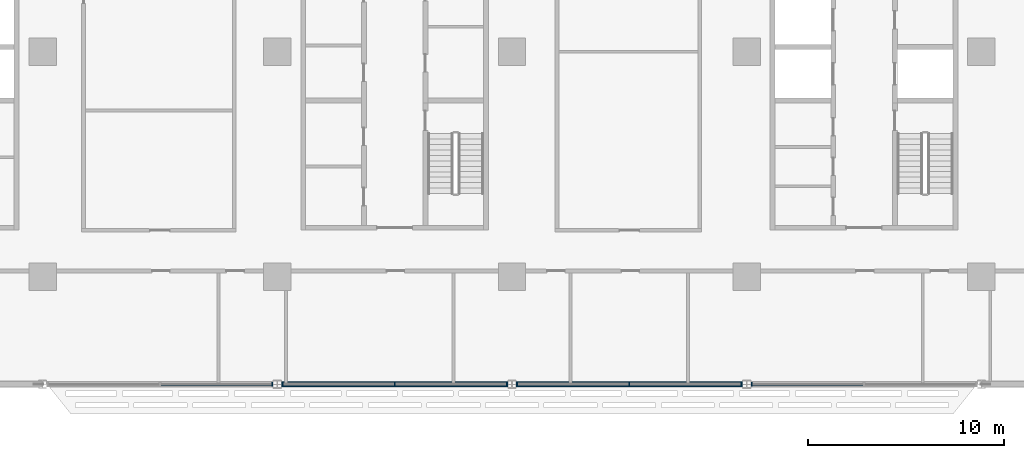
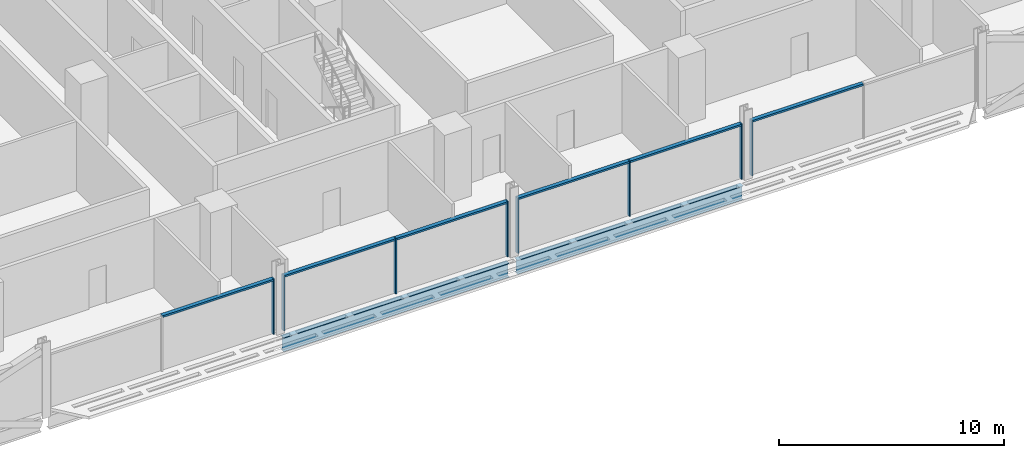
# One storey, part 5 of 29: 14 members, 2 beams, 4 elements without a shape of their own.
"""IFC4 building model written with IfcOpenShell, lengths in metres."""

from ifc_helpers import new_model, si_unit, direction, frame, origin, origin_2d, place, context, subcontext, project, spatial, rectangle, i_section, extrude, material, material_profile, profile_set, type_object, element, aggregate, save


model = new_model("IFC4")

# Units and contexts
model_context = context("Model", 3, precision=1e-05, world=origin(), true_north=direction((0.0, 1.0)))
body_context = subcontext(model_context, "Body", "Model", "MODEL_VIEW")
ifc_project = project(units=[si_unit("LENGTHUNIT", "METRE"), si_unit("AREAUNIT", "SQUARE_METRE"), si_unit("VOLUMEUNIT", "CUBIC_METRE"), si_unit("PLANEANGLEUNIT", "RADIAN"), si_unit("MASSUNIT", "GRAM", prefix="KILO")], contexts=[model_context])

# Site, building, storey
site_placement = place(None, origin())
site = spatial("IfcSite", under=ifc_project, at=site_placement, CompositionType="ELEMENT")
building_placement = place(site_placement, origin())
building = spatial("IfcBuilding", under=site, at=building_placement, Name="Mahtab Terrace Research Tower", CompositionType="ELEMENT")
storey_placement = place(building_placement, frame((0.0, 0.0, 93.0)))
storey = spatial("IfcBuildingStorey", under=building, at=storey_placement, Name="L21", CompositionType="ELEMENT", Elevation=93.0)

# Curtain wall, member
ifc_material_1 = material(Name="Laboratory ribbon curtain wall")
curtain_wall_type = type_object("IfcCurtainWallType", Name="Laboratory ribbon curtain wall", PredefinedType="NOTDEFINED", material=ifc_material_1)
curtain_wall_1_placement = place(storey_placement, origin())
curtain_wall_1 = element("IfcCurtainWall", 1, at=curtain_wall_1_placement, inside=storey, type_object=curtain_wall_type, Name="EN.L21.13.25", PredefinedType="NOTDEFINED")
ifc_material_2 = material(Name="Natural anodised aluminium", Category="aluminium")
ifc_material_profile_1 = material_profile(ifc_material_2, rectangle(XDim=0.199951171875, YDim=0.06494140625, at=origin_2d()), Name="MULLION 65x200")
ifc_profile_set_1 = profile_set([ifc_material_profile_1], Name="Natural anodised aluminium")
member_type_1 = type_object("IfcMemberType", Name="Laboratory ribbon curtain wall mullion", PredefinedType="MULLION", material=ifc_profile_set_1)
member_1_placement = place(storey_placement, frame((-6.260498046875, -17.0, 0.0), z_axis=(0.0, 0.0, 1.0), x_axis=(0.0, 1.0, 0.0)))
member_1 = element("IfcMember", 2, at=member_1_placement, type_object=member_type_1, Name="CWL-3 mullion 3", PredefinedType="MULLION", context=body_context, shape_type="SweptSolid", body=[
    extrude(rectangle(XDim=0.199951171875, YDim=0.06494140625, at=origin_2d()), origin(), (0.0, 0.0, 1.0), 3.003173828125),
])

# Curtain wall, members
curtain_wall_2_placement = place(storey_placement, origin())
curtain_wall_2 = element("IfcCurtainWall", 3, at=curtain_wall_2_placement, inside=storey, type_object=curtain_wall_type, Name="EN.L21.13.26", PredefinedType="NOTDEFINED")
member_2_placement = place(storey_placement, frame((-5.739501953125, -17.0, 0.0), z_axis=(0.0, 0.0, 1.0), x_axis=(0.0, 1.0, 0.0)))
member_2 = element("IfcMember", 4, at=member_2_placement, type_object=member_type_1, Name="CWL-3 mullion 1", PredefinedType="MULLION", context=body_context, shape_type="SweptSolid", body=[
    extrude(rectangle(XDim=0.199951171875, YDim=0.06494140625, at=origin_2d()), origin(), (0.0, 0.0, 1.0), 3.003173828125),
])
member_3_placement = place(storey_placement, frame((0.0, -17.0, 0.0), z_axis=(0.0, 0.0, 1.0), x_axis=(0.0, 1.0, 0.0)))
member_3 = element("IfcMember", 5, at=member_3_placement, type_object=member_type_1, Name="CWL-3 mullion 2", PredefinedType="MULLION", context=body_context, shape_type="SweptSolid", body=[
    extrude(rectangle(XDim=0.199951171875, YDim=0.06494140625, at=origin_2d()), origin(), (0.0, 0.0, 1.0), 3.003173828125),
])
member_4_placement = place(storey_placement, frame((5.739501953125, -17.0, 0.0), z_axis=(0.0, 0.0, 1.0), x_axis=(0.0, 1.0, 0.0)))
member_4 = element("IfcMember", 6, at=member_4_placement, type_object=member_type_1, Name="CWL-3 mullion 3", PredefinedType="MULLION", context=body_context, shape_type="SweptSolid", body=[
    extrude(rectangle(XDim=0.199951171875, YDim=0.06494140625, at=origin_2d()), origin(), (0.0, 0.0, 1.0), 3.003173828125),
])

curtain_wall_3_placement = place(storey_placement, origin())
curtain_wall_3 = element("IfcCurtainWall", 7, at=curtain_wall_3_placement, inside=storey, type_object=curtain_wall_type, Name="EN.L21.13.27", PredefinedType="NOTDEFINED")
member_5_placement = place(storey_placement, frame((6.260498046875, -17.0, 0.0), z_axis=(0.0, 0.0, 1.0), x_axis=(0.0, 1.0, 0.0)))
member_5 = element("IfcMember", 8, at=member_5_placement, type_object=member_type_1, Name="CWL-3 mullion 1", PredefinedType="MULLION", context=body_context, shape_type="SweptSolid", body=[
    extrude(rectangle(XDim=0.199951171875, YDim=0.06494140625, at=origin_2d()), origin(), (0.0, 0.0, 1.0), 3.003173828125),
])
member_6_placement = place(storey_placement, frame((12.0, -17.0, 0.0), z_axis=(0.0, 0.0, 1.0), x_axis=(0.0, 1.0, 0.0)))
member_6 = element("IfcMember", 9, at=member_6_placement, type_object=member_type_1, Name="CWL-3 mullion 2", PredefinedType="MULLION", context=body_context, shape_type="SweptSolid", body=[
    extrude(rectangle(XDim=0.199951171875, YDim=0.06494140625, at=origin_2d()), origin(), (0.0, 0.0, 1.0), 3.003173828125),
])
member_7_placement = place(storey_placement, frame((17.739501953125, -17.0, 0.0), z_axis=(0.0, 0.0, 1.0), x_axis=(0.0, 1.0, 0.0)))
member_7 = element("IfcMember", 10, at=member_7_placement, type_object=member_type_1, Name="CWL-3 mullion 3", PredefinedType="MULLION", context=body_context, shape_type="SweptSolid", body=[
    extrude(rectangle(XDim=0.199951171875, YDim=0.06494140625, at=origin_2d()), origin(), (0.0, 0.0, 1.0), 3.003173828125),
])

# Curtain wall, member
curtain_wall_4_placement = place(storey_placement, origin())
curtain_wall_4 = element("IfcCurtainWall", 11, at=curtain_wall_4_placement, inside=storey, type_object=curtain_wall_type, Name="EN.L21.13.28", PredefinedType="NOTDEFINED")
member_8_placement = place(storey_placement, frame((18.260498046875, -17.0, 0.0), z_axis=(0.0, 0.0, 1.0), x_axis=(0.0, 1.0, 0.0)))
member_8 = element("IfcMember", 12, at=member_8_placement, type_object=member_type_1, Name="CWL-3 mullion 1", PredefinedType="MULLION", context=body_context, shape_type="SweptSolid", body=[
    extrude(rectangle(XDim=0.199951171875, YDim=0.06494140625, at=origin_2d()), origin(), (0.0, 0.0, 1.0), 3.003173828125),
])

# Member
ifc_material_profile_2 = material_profile(ifc_material_2, rectangle(XDim=0.199951171875, YDim=0.10009765625, at=origin_2d()), Name="TRANSOM 100x200")
ifc_profile_set_2 = profile_set([ifc_material_profile_2], Name="Natural anodised aluminium")
member_type_2 = type_object("IfcMemberType", Name="Laboratory ribbon curtain wall transom", PredefinedType="USERDEFINED", material=ifc_profile_set_2)
member_9_placement = place(storey_placement, frame((-11.967529296875, -17.0, 2.953125), z_axis=(1.0, 0.0, 0.0), x_axis=(0.0, 1.0, 0.0)))
member_9 = element("IfcMember", 13, at=member_9_placement, type_object=member_type_2, Name="CWL-3 transom 2", ObjectType="TRANSOM", PredefinedType="USERDEFINED", context=body_context, shape_type="SweptSolid", body=[
    extrude(rectangle(XDim=0.199951171875, YDim=0.10009765625, at=origin_2d()), origin(), (0.0, 0.0, 1.0), 5.674560546875),
])

aggregate(curtain_wall_1, [member_1, member_9])

member_10_placement = place(storey_placement, frame((-5.70703125, -17.0, 2.953125), z_axis=(1.0, 0.0, 0.0), x_axis=(0.0, 1.0, 0.0)))
member_10 = element("IfcMember", 14, at=member_10_placement, type_object=member_type_2, Name="CWL-3 transom 1", ObjectType="TRANSOM", PredefinedType="USERDEFINED", context=body_context, shape_type="SweptSolid", body=[
    extrude(rectangle(XDim=0.199951171875, YDim=0.10009765625, at=origin_2d()), origin(), (0.0, 0.0, 1.0), 5.674560546875),
])

member_11_placement = place(storey_placement, frame((0.032470703125, -17.0, 2.953125), z_axis=(1.0, 0.0, 0.0), x_axis=(0.0, 1.0, 0.0)))
member_11 = element("IfcMember", 15, at=member_11_placement, type_object=member_type_2, Name="CWL-3 transom 2", ObjectType="TRANSOM", PredefinedType="USERDEFINED", context=body_context, shape_type="SweptSolid", body=[
    extrude(rectangle(XDim=0.199951171875, YDim=0.10009765625, at=origin_2d()), origin(), (0.0, 0.0, 1.0), 5.674560546875),
])

aggregate(curtain_wall_2, [member_2, member_3, member_4, member_10, member_11])

member_12_placement = place(storey_placement, frame((6.29296875, -17.0, 2.953125), z_axis=(1.0, 0.0, 0.0), x_axis=(0.0, 1.0, 0.0)))
member_12 = element("IfcMember", 16, at=member_12_placement, type_object=member_type_2, Name="CWL-3 transom 1", ObjectType="TRANSOM", PredefinedType="USERDEFINED", context=body_context, shape_type="SweptSolid", body=[
    extrude(rectangle(XDim=0.199951171875, YDim=0.10009765625, at=origin_2d()), origin(), (0.0, 0.0, 1.0), 5.674560546875),
])

member_13_placement = place(storey_placement, frame((12.032470703125, -17.0, 2.953125), z_axis=(1.0, 0.0, 0.0), x_axis=(0.0, 1.0, 0.0)))
member_13 = element("IfcMember", 17, at=member_13_placement, type_object=member_type_2, Name="CWL-3 transom 2", ObjectType="TRANSOM", PredefinedType="USERDEFINED", context=body_context, shape_type="SweptSolid", body=[
    extrude(rectangle(XDim=0.199951171875, YDim=0.10009765625, at=origin_2d()), origin(), (0.0, 0.0, 1.0), 5.674560546875),
])

aggregate(curtain_wall_3, [member_5, member_6, member_7, member_12, member_13])

member_14_placement = place(storey_placement, frame((18.29296875, -17.0, 2.953125), z_axis=(1.0, 0.0, 0.0), x_axis=(0.0, 1.0, 0.0)))
member_14 = element("IfcMember", 18, at=member_14_placement, type_object=member_type_2, Name="CWL-3 transom 1", ObjectType="TRANSOM", PredefinedType="USERDEFINED", context=body_context, shape_type="SweptSolid", body=[
    extrude(rectangle(XDim=0.199951171875, YDim=0.10009765625, at=origin_2d()), origin(), (0.0, 0.0, 1.0), 5.674560546875),
])

aggregate(curtain_wall_4, [member_8, member_14])

# Beams
ifc_material_3 = material(Name="Steel ASTM A992 Gr 50", Category="steel")
ifc_material_profile_3 = material_profile(ifc_material_3, i_section(OverallWidth=0.2666015625, OverallDepth=0.7568359375, WebThickness=0.013916015625, FlangeThickness=0.019287109375, at=origin_2d()), Name="W30X108")
ifc_profile_set_3 = profile_set([ifc_material_profile_3], Name="Steel ASTM A992 Gr 50")
beam_type = type_object("IfcBeamType", Name="W30x108 beam BS30108", PredefinedType="BEAM", material=ifc_profile_set_3)
for number, where, z_axis, x_axis, name in (
    (19, (-5.79052734375, -17.0, -0.718505859375), (1.0, 0.0, 0.0), (0.0, 1.0, 0.0), "Spandrel beam L21 15"),
    (20, (6.20947265625, -17.0, -0.718505859375), (1.0, 0.0, 0.0), (0.0, 1.0, 0.0), "Spandrel beam L21 16"),
):
    element("IfcBeam", number, at=place(storey_placement, frame(where, z_axis=z_axis, x_axis=x_axis)), inside=storey, type_object=beam_type, Name=name, PredefinedType="BEAM", context=body_context, shape_type="SweptSolid", body=[
        extrude(i_section(OverallWidth=0.2666015625, OverallDepth=0.7568359375, WebThickness=0.013916015625, FlangeThickness=0.019287109375, at=origin_2d()), origin(), (0.0, 0.0, 1.0), 11.5810546875),
    ])

save(model, "model.ifc")
